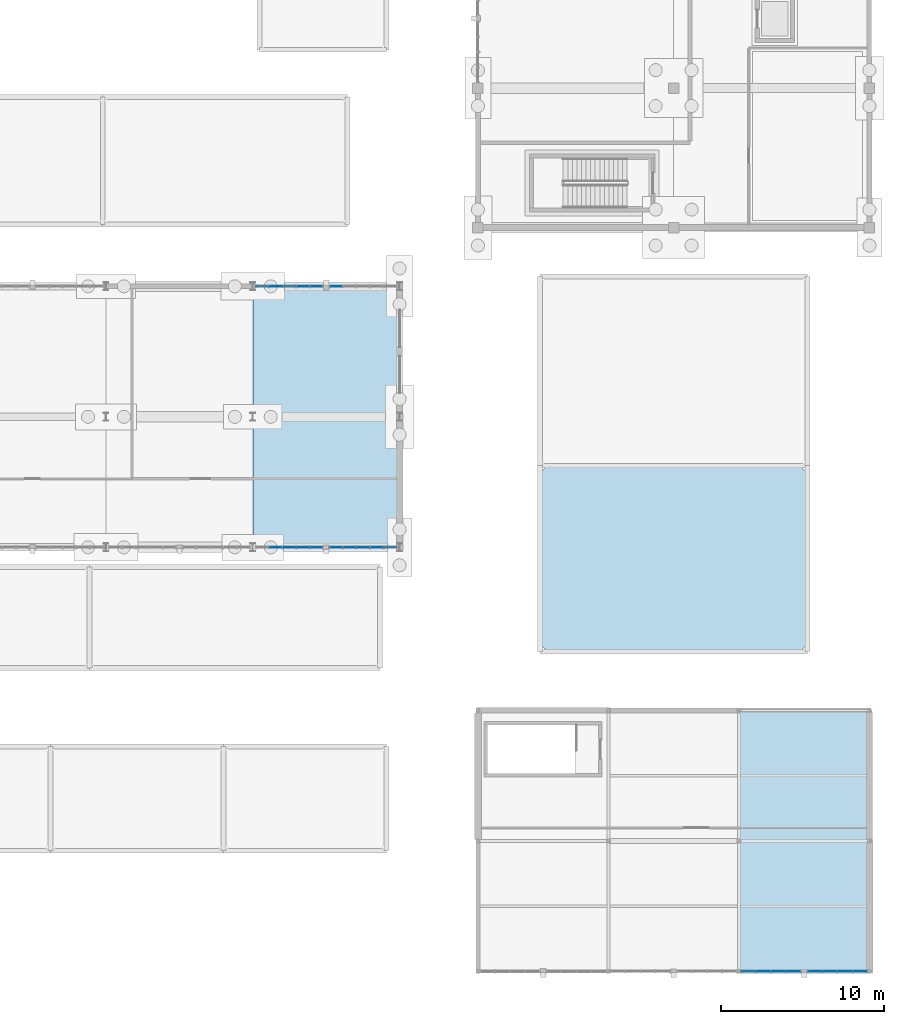
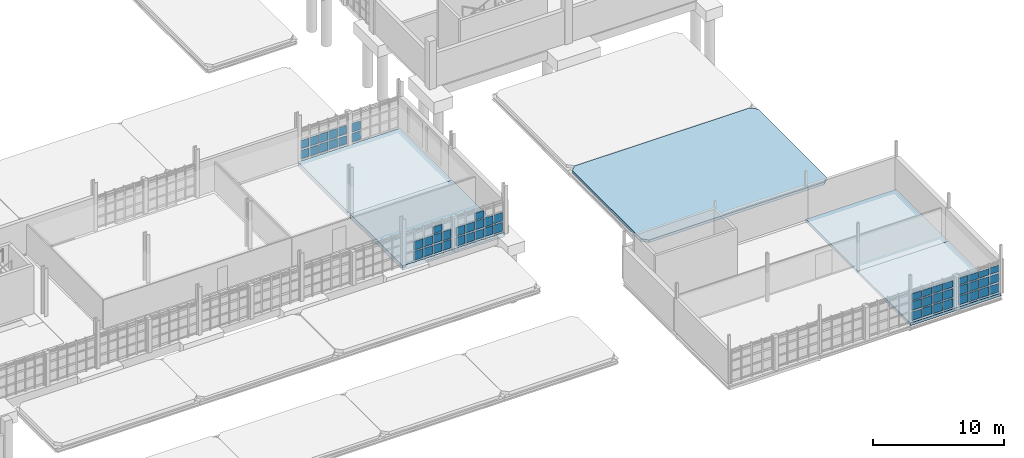
# One storey, part 89 of 125: 56 plates, 5 slabs, 6 elements without a shape of their own.
"""IFC4 building model written with IfcOpenShell, lengths in metres."""

from ifc_helpers import new_model, si_unit, direction, frame, origin, origin_2d, place, context, subcontext, project, spatial, polyline, rectangle, outline, extrude, material, layer, layer_set, type_object, element, aggregate, save


model = new_model("IFC4")

# Units and contexts
model_context = context("Model", 3, precision=1e-05, world=origin(), true_north=direction((0.0, 1.0)))
body_context = subcontext(model_context, "Body", "Model", "MODEL_VIEW")
ifc_project = project(units=[si_unit("LENGTHUNIT", "METRE"), si_unit("AREAUNIT", "SQUARE_METRE"), si_unit("VOLUMEUNIT", "CUBIC_METRE"), si_unit("PLANEANGLEUNIT", "RADIAN"), si_unit("MASSUNIT", "GRAM", prefix="KILO")], contexts=[model_context])

# Site, building, storey
site_placement = place(None, origin())
site = spatial("IfcSite", under=ifc_project, at=site_placement, CompositionType="ELEMENT")
building_placement = place(site_placement, origin())
building = spatial("IfcBuilding", under=site, at=building_placement, Name="Serraforn Aerial Cableway Station", CompositionType="ELEMENT")
storey_placement = place(building_placement, frame((0.0, 0.0, 4.5)))
storey = spatial("IfcBuildingStorey", under=building, at=storey_placement, Name="L01", CompositionType="ELEMENT", Elevation=4.5)

# Curtain wall, plate
ifc_material_1 = material(Name="Anodised bronze unitised curtain wall")
curtain_wall_type_1 = type_object("IfcCurtainWallType", Name="CW-SYS-7", PredefinedType="USERDEFINED", material=ifc_material_1)
curtain_wall_1_placement = place(storey_placement, origin())
curtain_wall_1 = element("IfcCurtainWall", 1, at=curtain_wall_1_placement, inside=storey, type_object=curtain_wall_type_1, Name="Unitised Curtain Wall CW-ES-L01-S3A", ObjectType="UNITISED CURTAIN WALL", PredefinedType="USERDEFINED")
ifc_material_2 = material(Name="Solar-control low-E double glazing", Category="glass")
ifc_layer_1 = layer(ifc_material_2, 0.02587890625)
ifc_layer_set_1 = layer_set([ifc_layer_1], Name="Solar-control low-E double glazing")
plate_type_1 = type_object("IfcPlateType", Name="CW-GLZ-1", PredefinedType="CURTAIN_PANEL", material=ifc_layer_set_1)
plate_1_placement = place(storey_placement, frame((163.33837890625, 0.0, 2.06982421875), z_axis=(0.0, 0.0, 1.0), x_axis=(1.0, 0.0, 0.0)))
plate_1 = element("IfcPlate", 2, at=plate_1_placement, type_object=plate_type_1, Name="Curtain Wall Panel CW-ES-L01-S3A-P4-3", PredefinedType="CURTAIN_PANEL", context=body_context, shape_type="SweptSolid", body=[
    extrude(rectangle(XDim=0.846923828125, YDim=0.02587890625, at=origin_2d()), origin(), (0.0, 0.0, 1.0), 0.59521484375),
])

# Curtain wall, plates
curtain_wall_type_2 = type_object("IfcCurtainWallType", Name="CW-SYS-8", PredefinedType="USERDEFINED", material=ifc_material_1)
curtain_wall_2_placement = place(storey_placement, origin())
curtain_wall_2 = element("IfcCurtainWall", 3, at=curtain_wall_2_placement, inside=storey, type_object=curtain_wall_type_2, Name="Unitised Curtain Wall CW-ES-L01-S3B", ObjectType="UNITISED CURTAIN WALL", PredefinedType="USERDEFINED")
plate_2_placement = place(storey_placement, frame((166.5048828125, 0.0, 2.06982421875), z_axis=(0.0, 0.0, 1.0), x_axis=(1.0, 0.0, 0.0)))
plate_2 = element("IfcPlate", 4, at=plate_2_placement, type_object=plate_type_1, Name="Curtain Wall Panel CW-ES-L01-S3B-P3-3", PredefinedType="CURTAIN_PANEL", context=body_context, shape_type="SweptSolid", body=[
    extrude(rectangle(XDim=0.876953125, YDim=0.02587890625, at=origin_2d()), origin(), (0.0, 0.0, 1.0), 0.59521484375),
])
plate_3_placement = place(storey_placement, frame((167.419189453125, 0.0, 1.1337890625), z_axis=(0.0, 0.0, 1.0), x_axis=(1.0, 0.0, 0.0)))
plate_3 = element("IfcPlate", 5, at=plate_3_placement, type_object=plate_type_1, Name="Curtain Wall Panel CW-ES-L01-S3B-P4-2", PredefinedType="CURTAIN_PANEL", context=body_context, shape_type="SweptSolid", body=[
    extrude(rectangle(XDim=0.839599609375, YDim=0.02587890625, at=origin_2d()), origin(), (0.0, 0.0, 1.0), 0.782470703125),
])

# Curtain wall, plate
curtain_wall_type_3 = type_object("IfcCurtainWallType", Name="CW-SYS-19", PredefinedType="USERDEFINED", material=ifc_material_1)
curtain_wall_3_placement = place(storey_placement, origin())
curtain_wall_3 = element("IfcCurtainWall", 6, at=curtain_wall_3_placement, inside=storey, type_object=curtain_wall_type_3, Name="Unitised Curtain Wall CW-EL-L01-S5A", ObjectType="UNITISED CURTAIN WALL", PredefinedType="USERDEFINED")
plate_4_placement = place(storey_placement, frame((131.598388671875, 26.0, 0.182861328125), z_axis=(0.0, 0.0, 1.0), x_axis=(1.0, 0.0, 0.0)))
plate_4 = element("IfcPlate", 7, at=plate_4_placement, type_object=plate_type_1, Name="Curtain Wall Panel CW-EL-L01-S5A-P2-1", PredefinedType="CURTAIN_PANEL", context=body_context, shape_type="SweptSolid", body=[
    extrude(rectangle(XDim=0.781005859375, YDim=0.02587890625, at=origin_2d()), origin(), (0.0, 0.0, 1.0), 0.8125),
])

curtain_wall_type_4 = type_object("IfcCurtainWallType", Name="CW-SYS-20", PredefinedType="USERDEFINED", material=ifc_material_1)
curtain_wall_4_placement = place(storey_placement, origin())
curtain_wall_4 = element("IfcCurtainWall", 8, at=curtain_wall_4_placement, inside=storey, type_object=curtain_wall_type_4, Name="Unitised Curtain Wall CW-EL-L01-S5B", ObjectType="UNITISED CURTAIN WALL", PredefinedType="USERDEFINED")
plate_5_placement = place(storey_placement, frame((135.309814453125, 26.0, 0.182861328125), z_axis=(0.0, 0.0, 1.0), x_axis=(1.0, 0.0, 0.0)))
plate_5 = element("IfcPlate", 9, at=plate_5_placement, type_object=plate_type_1, Name="Curtain Wall Panel CW-EL-L01-S5B-P1-1", PredefinedType="CURTAIN_PANEL", context=body_context, shape_type="SweptSolid", body=[
    extrude(rectangle(XDim=0.75341796875, YDim=0.02587890625, at=origin_2d()), origin(), (0.0, 0.0, 1.0), 0.8125),
])

# Plate
ifc_layer_2 = layer(ifc_material_2, 0.028076171875)
ifc_layer_set_2 = layer_set([ifc_layer_2], Name="Solar-control low-E double glazing")
plate_type_2 = type_object("IfcPlateType", Name="CW-GLZ-2", PredefinedType="CURTAIN_PANEL", material=ifc_layer_set_2)
plate_6_placement = place(storey_placement, frame((167.419189453125, 0.0, 2.077392578125), z_axis=(0.0, 0.0, 1.0), x_axis=(1.0, 0.0, 0.0)))
plate_6 = element("IfcPlate", 10, at=plate_6_placement, type_object=plate_type_2, Name="Curtain Wall Panel CW-ES-L01-S3B-P4-3", PredefinedType="CURTAIN_PANEL", context=body_context, shape_type="SweptSolid", body=[
    extrude(rectangle(XDim=0.839599609375, YDim=0.028076171875, at=origin_2d()), origin(), (0.0, 0.0, 1.0), 0.615234375),
])

plate_7_placement = place(storey_placement, frame((131.598388671875, 26.0, 1.12646484375), z_axis=(0.0, 0.0, 1.0), x_axis=(1.0, 0.0, 0.0)))
plate_7 = element("IfcPlate", 11, at=plate_7_placement, type_object=plate_type_2, Name="Curtain Wall Panel CW-EL-L01-S5A-P2-2", PredefinedType="CURTAIN_PANEL", context=body_context, shape_type="SweptSolid", body=[
    extrude(rectangle(XDim=0.781005859375, YDim=0.028076171875, at=origin_2d()), origin(), (0.0, 0.0, 1.0), 0.797607421875),
])

plate_8_placement = place(storey_placement, frame((132.4326171875, 26.0, 0.1904296875), z_axis=(0.0, 0.0, 1.0), x_axis=(1.0, 0.0, 0.0)))
plate_8 = element("IfcPlate", 12, at=plate_8_placement, type_object=plate_type_2, Name="Curtain Wall Panel CW-EL-L01-S5A-P3-1", PredefinedType="CURTAIN_PANEL", context=body_context, shape_type="SweptSolid", body=[
    extrude(rectangle(XDim=0.77587890625, YDim=0.028076171875, at=origin_2d()), origin(), (0.0, 0.0, 1.0), 0.797607421875),
])

plate_9_placement = place(storey_placement, frame((135.309814453125, 26.0, 1.12646484375), z_axis=(0.0, 0.0, 1.0), x_axis=(1.0, 0.0, 0.0)))
plate_9 = element("IfcPlate", 13, at=plate_9_placement, type_object=plate_type_2, Name="Curtain Wall Panel CW-EL-L01-S5B-P1-2", PredefinedType="CURTAIN_PANEL", context=body_context, shape_type="SweptSolid", body=[
    extrude(rectangle(XDim=0.75341796875, YDim=0.028076171875, at=origin_2d()), origin(), (0.0, 0.0, 1.0), 0.797607421875),
])

plate_10_placement = place(storey_placement, frame((136.13037109375, 26.0, 0.1904296875), z_axis=(0.0, 0.0, 1.0), x_axis=(1.0, 0.0, 0.0)))
plate_10 = element("IfcPlate", 14, at=plate_10_placement, type_object=plate_type_2, Name="Curtain Wall Panel CW-EL-L01-S5B-P2-1", PredefinedType="CURTAIN_PANEL", context=body_context, shape_type="SweptSolid", body=[
    extrude(rectangle(XDim=0.77587890625, YDim=0.028076171875, at=origin_2d()), origin(), (0.0, 0.0, 1.0), 0.797607421875),
])

ifc_layer_3 = layer(ifc_material_2, 0.030029296875)
ifc_layer_set_3 = layer_set([ifc_layer_3], Name="Solar-control low-E double glazing")
plate_type_3 = type_object("IfcPlateType", Name="CW-GLZ-3", PredefinedType="CURTAIN_PANEL", material=ifc_layer_set_3)
plate_11_placement = place(storey_placement, frame((132.4326171875, 26.0, 1.1337890625), z_axis=(0.0, 0.0, 1.0), x_axis=(1.0, 0.0, 0.0)))
plate_11 = element("IfcPlate", 15, at=plate_11_placement, type_object=plate_type_3, Name="Curtain Wall Panel CW-EL-L01-S5A-P3-2", PredefinedType="CURTAIN_PANEL", context=body_context, shape_type="SweptSolid", body=[
    extrude(rectangle(XDim=0.77587890625, YDim=0.030029296875, at=origin_2d()), origin(), (0.0, 0.0, 1.0), 0.782470703125),
])

plate_12_placement = place(storey_placement, frame((133.26708984375, 26.0, 0.19775390625), z_axis=(0.0, 0.0, 1.0), x_axis=(1.0, 0.0, 0.0)))
plate_12 = element("IfcPlate", 16, at=plate_12_placement, type_object=plate_type_3, Name="Curtain Wall Panel CW-EL-L01-S5A-P4-1", PredefinedType="CURTAIN_PANEL", context=body_context, shape_type="SweptSolid", body=[
    extrude(rectangle(XDim=0.77099609375, YDim=0.030029296875, at=origin_2d()), origin(), (0.0, 0.0, 1.0), 0.782470703125),
])

plate_13_placement = place(storey_placement, frame((136.13037109375, 26.0, 1.1337890625), z_axis=(0.0, 0.0, 1.0), x_axis=(1.0, 0.0, 0.0)))
plate_13 = element("IfcPlate", 17, at=plate_13_placement, type_object=plate_type_3, Name="Curtain Wall Panel CW-EL-L01-S5B-P2-2", PredefinedType="CURTAIN_PANEL", context=body_context, shape_type="SweptSolid", body=[
    extrude(rectangle(XDim=0.77587890625, YDim=0.030029296875, at=origin_2d()), origin(), (0.0, 0.0, 1.0), 0.782470703125),
])

plate_14_placement = place(storey_placement, frame((136.964599609375, 26.0, 0.19775390625), z_axis=(0.0, 0.0, 1.0), x_axis=(1.0, 0.0, 0.0)))
plate_14 = element("IfcPlate", 18, at=plate_14_placement, type_object=plate_type_3, Name="Curtain Wall Panel CW-EL-L01-S5B-P3-1", PredefinedType="CURTAIN_PANEL", context=body_context, shape_type="SweptSolid", body=[
    extrude(rectangle(XDim=0.77099609375, YDim=0.030029296875, at=origin_2d()), origin(), (0.0, 0.0, 1.0), 0.782470703125),
])

# Curtain wall, plate
curtain_wall_type_5 = type_object("IfcCurtainWallType", Name="CW-SYS-22", PredefinedType="USERDEFINED", material=ifc_material_1)
curtain_wall_5_placement = place(storey_placement, origin())
curtain_wall_5 = element("IfcCurtainWall", 19, at=curtain_wall_5_placement, inside=storey, type_object=curtain_wall_type_5, Name="Unitised Curtain Wall CW-EL-L01-N5B", ObjectType="UNITISED CURTAIN WALL", PredefinedType="USERDEFINED")
plate_15_placement = place(storey_placement, frame((134.087890625, 42.0, 0.19775390625), z_axis=(0.0, 0.0, 1.0), x_axis=(1.0, 0.0, 0.0)))
plate_15 = element("IfcPlate", 20, at=plate_15_placement, type_object=plate_type_3, Name="Curtain Wall Panel CW-EL-L01-N5B-P1-1", PredefinedType="CURTAIN_PANEL", context=body_context, shape_type="SweptSolid", body=[
    extrude(rectangle(XDim=0.73828125, YDim=0.030029296875, at=origin_2d()), origin(), (0.0, 0.0, 1.0), 0.782470703125),
])

# Plate
ifc_layer_4 = layer(ifc_material_2, 0.031982421875)
ifc_layer_set_4 = layer_set([ifc_layer_4], Name="Solar-control low-E double glazing")
plate_type_4 = type_object("IfcPlateType", Name="CW-GLZ-4", PredefinedType="CURTAIN_PANEL", material=ifc_layer_set_4)
plate_16_placement = place(storey_placement, frame((160.578125, 0.0, 0.19775390625), z_axis=(0.0, 0.0, 1.0), x_axis=(1.0, 0.0, 0.0)))
plate_16 = element("IfcPlate", 21, at=plate_16_placement, type_object=plate_type_4, Name="Curtain Wall Panel CW-ES-L01-S3A-P1-1", PredefinedType="CURTAIN_PANEL", context=body_context, shape_type="SweptSolid", body=[
    extrude(rectangle(XDim=0.83447265625, YDim=0.031982421875, at=origin_2d()), origin(), (0.0, 0.0, 1.0), 0.782470703125),
])

plate_17_placement = place(storey_placement, frame((133.26708984375, 26.0, 1.14111328125), z_axis=(0.0, 0.0, 1.0), x_axis=(1.0, 0.0, 0.0)))
plate_17 = element("IfcPlate", 22, at=plate_17_placement, type_object=plate_type_4, Name="Curtain Wall Panel CW-EL-L01-S5A-P4-2", PredefinedType="CURTAIN_PANEL", context=body_context, shape_type="SweptSolid", body=[
    extrude(rectangle(XDim=0.77099609375, YDim=0.031982421875, at=origin_2d()), origin(), (0.0, 0.0, 1.0), 0.802490234375),
])

plate_18_placement = place(storey_placement, frame((134.082763671875, 26.0, 0.20556640625), z_axis=(0.0, 0.0, 1.0), x_axis=(1.0, 0.0, 0.0)))
plate_18 = element("IfcPlate", 23, at=plate_18_placement, type_object=plate_type_4, Name="Curtain Wall Panel CW-EL-L01-S5A-P5-1", PredefinedType="CURTAIN_PANEL", context=body_context, shape_type="SweptSolid", body=[
    extrude(rectangle(XDim=0.728515625, YDim=0.031982421875, at=origin_2d()), origin(), (0.0, 0.0, 1.0), 0.802490234375),
])

plate_19_placement = place(storey_placement, frame((136.964599609375, 26.0, 1.14111328125), z_axis=(0.0, 0.0, 1.0), x_axis=(1.0, 0.0, 0.0)))
plate_19 = element("IfcPlate", 24, at=plate_19_placement, type_object=plate_type_4, Name="Curtain Wall Panel CW-EL-L01-S5B-P3-2", PredefinedType="CURTAIN_PANEL", context=body_context, shape_type="SweptSolid", body=[
    extrude(rectangle(XDim=0.77099609375, YDim=0.031982421875, at=origin_2d()), origin(), (0.0, 0.0, 1.0), 0.802490234375),
])

plate_20_placement = place(storey_placement, frame((137.799072265625, 26.0, 0.20556640625), z_axis=(0.0, 0.0, 1.0), x_axis=(1.0, 0.0, 0.0)))
plate_20 = element("IfcPlate", 25, at=plate_20_placement, type_object=plate_type_4, Name="Curtain Wall Panel CW-EL-L01-S5B-P4-1", PredefinedType="CURTAIN_PANEL", context=body_context, shape_type="SweptSolid", body=[
    extrude(rectangle(XDim=0.765869140625, YDim=0.031982421875, at=origin_2d()), origin(), (0.0, 0.0, 1.0), 0.802490234375),
])

plate_21_placement = place(storey_placement, frame((134.087890625, 42.0, 1.14111328125), z_axis=(0.0, 0.0, 1.0), x_axis=(1.0, 0.0, 0.0)))
plate_21 = element("IfcPlate", 26, at=plate_21_placement, type_object=plate_type_4, Name="Curtain Wall Panel CW-EL-L01-N5B-P1-2", PredefinedType="CURTAIN_PANEL", context=body_context, shape_type="SweptSolid", body=[
    extrude(rectangle(XDim=0.73828125, YDim=0.031982421875, at=origin_2d()), origin(), (0.0, 0.0, 1.0), 0.802490234375),
])

plate_22_placement = place(storey_placement, frame((133.269775390625, 42.0, 0.20556640625), z_axis=(0.0, 0.0, 1.0), x_axis=(1.0, 0.0, 0.0)))
plate_22 = element("IfcPlate", 27, at=plate_22_placement, type_object=plate_type_4, Name="Curtain Wall Panel CW-EL-L01-N5B-P2-1", PredefinedType="CURTAIN_PANEL", context=body_context, shape_type="SweptSolid", body=[
    extrude(rectangle(XDim=0.765869140625, YDim=0.031982421875, at=origin_2d()), origin(), (0.0, 0.0, 1.0), 0.802490234375),
])

ifc_layer_5 = layer(ifc_material_2, 0.033935546875)
ifc_layer_set_5 = layer_set([ifc_layer_5], Name="Solar-control low-E double glazing")
plate_type_5 = type_object("IfcPlateType", Name="CW-GLZ-5", PredefinedType="CURTAIN_PANEL", material=ifc_layer_set_5)
plate_23_placement = place(storey_placement, frame((160.578125, 0.0, 1.14111328125), z_axis=(0.0, 0.0, 1.0), x_axis=(1.0, 0.0, 0.0)))
plate_23 = element("IfcPlate", 28, at=plate_23_placement, type_object=plate_type_5, Name="Curtain Wall Panel CW-ES-L01-S3A-P1-2", PredefinedType="CURTAIN_PANEL", context=body_context, shape_type="SweptSolid", body=[
    extrude(rectangle(XDim=0.83447265625, YDim=0.033935546875, at=origin_2d()), origin(), (0.0, 0.0, 1.0), 0.802490234375),
])

plate_24_placement = place(storey_placement, frame((161.492431640625, 0.0, 0.20556640625), z_axis=(0.0, 0.0, 1.0), x_axis=(1.0, 0.0, 0.0)))
plate_24 = element("IfcPlate", 29, at=plate_24_placement, type_object=plate_type_5, Name="Curtain Wall Panel CW-ES-L01-S3A-P2-1", PredefinedType="CURTAIN_PANEL", context=body_context, shape_type="SweptSolid", body=[
    extrude(rectangle(XDim=0.862060546875, YDim=0.033935546875, at=origin_2d()), origin(), (0.0, 0.0, 1.0), 0.802490234375),
])

plate_25_placement = place(storey_placement, frame((164.66162109375, 0.0, 0.20556640625), z_axis=(0.0, 0.0, 1.0), x_axis=(1.0, 0.0, 0.0)))
plate_25 = element("IfcPlate", 30, at=plate_25_placement, type_object=plate_type_5, Name="Curtain Wall Panel CW-ES-L01-S3B-P1-1", PredefinedType="CURTAIN_PANEL", context=body_context, shape_type="SweptSolid", body=[
    extrude(rectangle(XDim=0.826904296875, YDim=0.033935546875, at=origin_2d()), origin(), (0.0, 0.0, 1.0), 0.802490234375),
])

plate_26_placement = place(storey_placement, frame((133.26708984375, 26.0, 2.0498046875), z_axis=(0.0, 0.0, 1.0), x_axis=(1.0, 0.0, 0.0)))
plate_26 = element("IfcPlate", 31, at=plate_26_placement, type_object=plate_type_5, Name="Curtain Wall Panel CW-EL-L01-S5A-P4-3", PredefinedType="CURTAIN_PANEL", context=body_context, shape_type="SweptSolid", body=[
    extrude(rectangle(XDim=0.77099609375, YDim=0.033935546875, at=origin_2d()), origin(), (0.0, 0.0, 1.0), 0.6376953125),
])

plate_27_placement = place(storey_placement, frame((134.082763671875, 26.0, 1.11376953125), z_axis=(0.0, 0.0, 1.0), x_axis=(1.0, 0.0, 0.0)))
plate_27 = element("IfcPlate", 32, at=plate_27_placement, type_object=plate_type_5, Name="Curtain Wall Panel CW-EL-L01-S5A-P5-2", PredefinedType="CURTAIN_PANEL", context=body_context, shape_type="SweptSolid", body=[
    extrude(rectangle(XDim=0.728515625, YDim=0.033935546875, at=origin_2d()), origin(), (0.0, 0.0, 1.0), 0.824951171875),
])

aggregate(curtain_wall_3, [plate_4, plate_7, plate_8, plate_11, plate_12, plate_17, plate_26, plate_18, plate_27])

plate_28_placement = place(storey_placement, frame((136.964599609375, 26.0, 2.0498046875), z_axis=(0.0, 0.0, 1.0), x_axis=(1.0, 0.0, 0.0)))
plate_28 = element("IfcPlate", 33, at=plate_28_placement, type_object=plate_type_5, Name="Curtain Wall Panel CW-EL-L01-S5B-P3-3", PredefinedType="CURTAIN_PANEL", context=body_context, shape_type="SweptSolid", body=[
    extrude(rectangle(XDim=0.77099609375, YDim=0.033935546875, at=origin_2d()), origin(), (0.0, 0.0, 1.0), 0.6376953125),
])

plate_29_placement = place(storey_placement, frame((137.799072265625, 26.0, 1.11376953125), z_axis=(0.0, 0.0, 1.0), x_axis=(1.0, 0.0, 0.0)))
plate_29 = element("IfcPlate", 34, at=plate_29_placement, type_object=plate_type_5, Name="Curtain Wall Panel CW-EL-L01-S5B-P4-2", PredefinedType="CURTAIN_PANEL", context=body_context, shape_type="SweptSolid", body=[
    extrude(rectangle(XDim=0.765869140625, YDim=0.033935546875, at=origin_2d()), origin(), (0.0, 0.0, 1.0), 0.824951171875),
])

plate_30_placement = place(storey_placement, frame((138.6259765625, 26.0, 0.177734375), z_axis=(0.0, 0.0, 1.0), x_axis=(1.0, 0.0, 0.0)))
plate_30 = element("IfcPlate", 35, at=plate_30_placement, type_object=plate_type_5, Name="Curtain Wall Panel CW-EL-L01-S5B-P5-1", PredefinedType="CURTAIN_PANEL", context=body_context, shape_type="SweptSolid", body=[
    extrude(rectangle(XDim=0.745849609375, YDim=0.033935546875, at=origin_2d()), origin(), (0.0, 0.0, 1.0), 0.824951171875),
])

plate_31_placement = place(storey_placement, frame((133.269775390625, 42.0, 1.11376953125), z_axis=(0.0, 0.0, 1.0), x_axis=(1.0, 0.0, 0.0)))
plate_31 = element("IfcPlate", 36, at=plate_31_placement, type_object=plate_type_5, Name="Curtain Wall Panel CW-EL-L01-N5B-P2-2", PredefinedType="CURTAIN_PANEL", context=body_context, shape_type="SweptSolid", body=[
    extrude(rectangle(XDim=0.765869140625, YDim=0.033935546875, at=origin_2d()), origin(), (0.0, 0.0, 1.0), 0.824951171875),
])

plate_32_placement = place(storey_placement, frame((132.428955078125, 42.0, 0.177734375), z_axis=(0.0, 0.0, 1.0), x_axis=(1.0, 0.0, 0.0)))
plate_32 = element("IfcPlate", 37, at=plate_32_placement, type_object=plate_type_5, Name="Curtain Wall Panel CW-EL-L01-N5B-P3-1", PredefinedType="CURTAIN_PANEL", context=body_context, shape_type="SweptSolid", body=[
    extrude(rectangle(XDim=0.7734375, YDim=0.033935546875, at=origin_2d()), origin(), (0.0, 0.0, 1.0), 0.824951171875),
])

ifc_layer_6 = layer(ifc_material_2, 0.035888671875)
ifc_layer_set_6 = layer_set([ifc_layer_6], Name="Solar-control low-E double glazing")
plate_type_6 = type_object("IfcPlateType", Name="CW-GLZ-6", PredefinedType="CURTAIN_PANEL", material=ifc_layer_set_6)
plate_33_placement = place(storey_placement, frame((160.578125, 0.0, 2.0498046875), z_axis=(0.0, 0.0, 1.0), x_axis=(1.0, 0.0, 0.0)))
plate_33 = element("IfcPlate", 38, at=plate_33_placement, type_object=plate_type_6, Name="Curtain Wall Panel CW-ES-L01-S3A-P1-3", PredefinedType="CURTAIN_PANEL", context=body_context, shape_type="SweptSolid", body=[
    extrude(rectangle(XDim=0.83447265625, YDim=0.035888671875, at=origin_2d()), origin(), (0.0, 0.0, 1.0), 0.6376953125),
])

plate_34_placement = place(storey_placement, frame((161.492431640625, 0.0, 1.11376953125), z_axis=(0.0, 0.0, 1.0), x_axis=(1.0, 0.0, 0.0)))
plate_34 = element("IfcPlate", 39, at=plate_34_placement, type_object=plate_type_6, Name="Curtain Wall Panel CW-ES-L01-S3A-P2-2", PredefinedType="CURTAIN_PANEL", context=body_context, shape_type="SweptSolid", body=[
    extrude(rectangle(XDim=0.862060546875, YDim=0.035888671875, at=origin_2d()), origin(), (0.0, 0.0, 1.0), 0.824951171875),
])

plate_35_placement = place(storey_placement, frame((162.42919921875, 0.0, 0.177734375), z_axis=(0.0, 0.0, 1.0), x_axis=(1.0, 0.0, 0.0)))
plate_35 = element("IfcPlate", 40, at=plate_35_placement, type_object=plate_type_6, Name="Curtain Wall Panel CW-ES-L01-S3A-P3-1", PredefinedType="CURTAIN_PANEL", context=body_context, shape_type="SweptSolid", body=[
    extrude(rectangle(XDim=0.869384765625, YDim=0.035888671875, at=origin_2d()), origin(), (0.0, 0.0, 1.0), 0.824951171875),
])

plate_36_placement = place(storey_placement, frame((164.66162109375, 0.0, 1.11376953125), z_axis=(0.0, 0.0, 1.0), x_axis=(1.0, 0.0, 0.0)))
plate_36 = element("IfcPlate", 41, at=plate_36_placement, type_object=plate_type_6, Name="Curtain Wall Panel CW-ES-L01-S3B-P1-2", PredefinedType="CURTAIN_PANEL", context=body_context, shape_type="SweptSolid", body=[
    extrude(rectangle(XDim=0.826904296875, YDim=0.035888671875, at=origin_2d()), origin(), (0.0, 0.0, 1.0), 0.824951171875),
])

plate_37_placement = place(storey_placement, frame((165.580810546875, 0.0, 0.177734375), z_axis=(0.0, 0.0, 1.0), x_axis=(1.0, 0.0, 0.0)))
plate_37 = element("IfcPlate", 42, at=plate_37_placement, type_object=plate_type_6, Name="Curtain Wall Panel CW-ES-L01-S3B-P2-1", PredefinedType="CURTAIN_PANEL", context=body_context, shape_type="SweptSolid", body=[
    extrude(rectangle(XDim=0.869384765625, YDim=0.035888671875, at=origin_2d()), origin(), (0.0, 0.0, 1.0), 0.824951171875),
])

plate_38_placement = place(storey_placement, frame((138.6259765625, 26.0, 1.118896484375), z_axis=(0.0, 0.0, 1.0), x_axis=(1.0, 0.0, 0.0)))
plate_38 = element("IfcPlate", 43, at=plate_38_placement, type_object=plate_type_6, Name="Curtain Wall Panel CW-EL-L01-S5B-P5-2", PredefinedType="CURTAIN_PANEL", context=body_context, shape_type="SweptSolid", body=[
    extrude(rectangle(XDim=0.745849609375, YDim=0.035888671875, at=origin_2d()), origin(), (0.0, 0.0, 1.0), 0.8125),
])

aggregate(curtain_wall_4, [plate_5, plate_9, plate_10, plate_13, plate_14, plate_19, plate_28, plate_20, plate_29, plate_30, plate_38])

# Curtain wall, plate
curtain_wall_type_6 = type_object("IfcCurtainWallType", Name="CW-SYS-21", PredefinedType="USERDEFINED", material=ifc_material_1)
curtain_wall_6_placement = place(storey_placement, origin())
curtain_wall_6 = element("IfcCurtainWall", 44, at=curtain_wall_6_placement, inside=storey, type_object=curtain_wall_type_6, Name="Unitised Curtain Wall CW-EL-L01-N5A", ObjectType="UNITISED CURTAIN WALL", PredefinedType="USERDEFINED")
plate_39_placement = place(storey_placement, frame((135.3134765625, 42.0, 0.182861328125), z_axis=(0.0, 0.0, 1.0), x_axis=(1.0, 0.0, 0.0)))
plate_39 = element("IfcPlate", 45, at=plate_39_placement, type_object=plate_type_6, Name="Curtain Wall Panel CW-EL-L01-N5A-P5-1", PredefinedType="CURTAIN_PANEL", context=body_context, shape_type="SweptSolid", body=[
    extrude(rectangle(XDim=0.7509765625, YDim=0.035888671875, at=origin_2d()), origin(), (0.0, 0.0, 1.0), 0.8125),
])

# Plate
plate_40_placement = place(storey_placement, frame((132.428955078125, 42.0, 1.118896484375), z_axis=(0.0, 0.0, 1.0), x_axis=(1.0, 0.0, 0.0)))
plate_40 = element("IfcPlate", 46, at=plate_40_placement, type_object=plate_type_6, Name="Curtain Wall Panel CW-EL-L01-N5B-P3-2", PredefinedType="CURTAIN_PANEL", context=body_context, shape_type="SweptSolid", body=[
    extrude(rectangle(XDim=0.7734375, YDim=0.035888671875, at=origin_2d()), origin(), (0.0, 0.0, 1.0), 0.8125),
])

plate_41_placement = place(storey_placement, frame((131.600830078125, 42.0, 0.182861328125), z_axis=(0.0, 0.0, 1.0), x_axis=(1.0, 0.0, 0.0)))
plate_41 = element("IfcPlate", 47, at=plate_41_placement, type_object=plate_type_6, Name="Curtain Wall Panel CW-EL-L01-N5B-P4-1", PredefinedType="CURTAIN_PANEL", context=body_context, shape_type="SweptSolid", body=[
    extrude(rectangle(XDim=0.781005859375, YDim=0.035888671875, at=origin_2d()), origin(), (0.0, 0.0, 1.0), 0.8125),
])

ifc_layer_7 = layer(ifc_material_2, 0.029052734375)
ifc_layer_set_7 = layer_set([ifc_layer_7], Name="Solar-control low-E double glazing")
plate_type_7 = type_object("IfcPlateType", Name="CW-GLZ-7", PredefinedType="CURTAIN_PANEL", material=ifc_layer_set_7)
plate_42_placement = place(storey_placement, frame((161.492431640625, 0.0, 2.0546875), z_axis=(0.0, 0.0, 1.0), x_axis=(1.0, 0.0, 0.0)))
plate_42 = element("IfcPlate", 48, at=plate_42_placement, type_object=plate_type_7, Name="Curtain Wall Panel CW-ES-L01-S3A-P2-3", PredefinedType="CURTAIN_PANEL", context=body_context, shape_type="SweptSolid", body=[
    extrude(rectangle(XDim=0.862060546875, YDim=0.029052734375, at=origin_2d()), origin(), (0.0, 0.0, 1.0), 0.625244140625),
])

plate_43_placement = place(storey_placement, frame((162.42919921875, 0.0, 1.118896484375), z_axis=(0.0, 0.0, 1.0), x_axis=(1.0, 0.0, 0.0)))
plate_43 = element("IfcPlate", 49, at=plate_43_placement, type_object=plate_type_7, Name="Curtain Wall Panel CW-ES-L01-S3A-P3-2", PredefinedType="CURTAIN_PANEL", context=body_context, shape_type="SweptSolid", body=[
    extrude(rectangle(XDim=0.869384765625, YDim=0.029052734375, at=origin_2d()), origin(), (0.0, 0.0, 1.0), 0.8125),
])

plate_44_placement = place(storey_placement, frame((163.33837890625, 0.0, 0.182861328125), z_axis=(0.0, 0.0, 1.0), x_axis=(1.0, 0.0, 0.0)))
plate_44 = element("IfcPlate", 50, at=plate_44_placement, type_object=plate_type_7, Name="Curtain Wall Panel CW-ES-L01-S3A-P4-1", PredefinedType="CURTAIN_PANEL", context=body_context, shape_type="SweptSolid", body=[
    extrude(rectangle(XDim=0.846923828125, YDim=0.029052734375, at=origin_2d()), origin(), (0.0, 0.0, 1.0), 0.8125),
])

plate_45_placement = place(storey_placement, frame((164.66162109375, 0.0, 2.0546875), z_axis=(0.0, 0.0, 1.0), x_axis=(1.0, 0.0, 0.0)))
plate_45 = element("IfcPlate", 51, at=plate_45_placement, type_object=plate_type_7, Name="Curtain Wall Panel CW-ES-L01-S3B-P1-3", PredefinedType="CURTAIN_PANEL", context=body_context, shape_type="SweptSolid", body=[
    extrude(rectangle(XDim=0.826904296875, YDim=0.029052734375, at=origin_2d()), origin(), (0.0, 0.0, 1.0), 0.625244140625),
])

plate_46_placement = place(storey_placement, frame((165.580810546875, 0.0, 1.118896484375), z_axis=(0.0, 0.0, 1.0), x_axis=(1.0, 0.0, 0.0)))
plate_46 = element("IfcPlate", 52, at=plate_46_placement, type_object=plate_type_7, Name="Curtain Wall Panel CW-ES-L01-S3B-P2-2", PredefinedType="CURTAIN_PANEL", context=body_context, shape_type="SweptSolid", body=[
    extrude(rectangle(XDim=0.869384765625, YDim=0.029052734375, at=origin_2d()), origin(), (0.0, 0.0, 1.0), 0.8125),
])

plate_47_placement = place(storey_placement, frame((166.5048828125, 0.0, 0.182861328125), z_axis=(0.0, 0.0, 1.0), x_axis=(1.0, 0.0, 0.0)))
plate_47 = element("IfcPlate", 53, at=plate_47_placement, type_object=plate_type_7, Name="Curtain Wall Panel CW-ES-L01-S3B-P3-1", PredefinedType="CURTAIN_PANEL", context=body_context, shape_type="SweptSolid", body=[
    extrude(rectangle(XDim=0.876953125, YDim=0.029052734375, at=origin_2d()), origin(), (0.0, 0.0, 1.0), 0.8125),
])

plate_48_placement = place(storey_placement, frame((135.3134765625, 42.0, 1.12646484375), z_axis=(0.0, 0.0, 1.0), x_axis=(1.0, 0.0, 0.0)))
plate_48 = element("IfcPlate", 54, at=plate_48_placement, type_object=plate_type_7, Name="Curtain Wall Panel CW-EL-L01-N5A-P5-2", PredefinedType="CURTAIN_PANEL", context=body_context, shape_type="SweptSolid", body=[
    extrude(rectangle(XDim=0.7509765625, YDim=0.029052734375, at=origin_2d()), origin(), (0.0, 0.0, 1.0), 0.797607421875),
])

aggregate(curtain_wall_6, [plate_39, plate_48])

plate_49_placement = place(storey_placement, frame((131.600830078125, 42.0, 1.12646484375), z_axis=(0.0, 0.0, 1.0), x_axis=(1.0, 0.0, 0.0)))
plate_49 = element("IfcPlate", 55, at=plate_49_placement, type_object=plate_type_7, Name="Curtain Wall Panel CW-EL-L01-N5B-P4-2", PredefinedType="CURTAIN_PANEL", context=body_context, shape_type="SweptSolid", body=[
    extrude(rectangle(XDim=0.781005859375, YDim=0.029052734375, at=origin_2d()), origin(), (0.0, 0.0, 1.0), 0.797607421875),
])

plate_50_placement = place(storey_placement, frame((130.78271484375, 42.0, 0.1904296875), z_axis=(0.0, 0.0, 1.0), x_axis=(1.0, 0.0, 0.0)))
plate_50 = element("IfcPlate", 56, at=plate_50_placement, type_object=plate_type_7, Name="Curtain Wall Panel CW-EL-L01-N5B-P5-1", PredefinedType="CURTAIN_PANEL", context=body_context, shape_type="SweptSolid", body=[
    extrude(rectangle(XDim=0.743408203125, YDim=0.029052734375, at=origin_2d()), origin(), (0.0, 0.0, 1.0), 0.797607421875),
])

ifc_layer_8 = layer(ifc_material_2, 0.031005859375)
ifc_layer_set_8 = layer_set([ifc_layer_8], Name="Solar-control low-E double glazing")
plate_type_8 = type_object("IfcPlateType", Name="CW-GLZ-8", PredefinedType="CURTAIN_PANEL", material=ifc_layer_set_8)
plate_51_placement = place(storey_placement, frame((162.42919921875, 0.0, 2.062255859375), z_axis=(0.0, 0.0, 1.0), x_axis=(1.0, 0.0, 0.0)))
plate_51 = element("IfcPlate", 57, at=plate_51_placement, type_object=plate_type_8, Name="Curtain Wall Panel CW-ES-L01-S3A-P3-3", PredefinedType="CURTAIN_PANEL", context=body_context, shape_type="SweptSolid", body=[
    extrude(rectangle(XDim=0.869384765625, YDim=0.031005859375, at=origin_2d()), origin(), (0.0, 0.0, 1.0), 0.6103515625),
])

plate_52_placement = place(storey_placement, frame((163.33837890625, 0.0, 1.12646484375), z_axis=(0.0, 0.0, 1.0), x_axis=(1.0, 0.0, 0.0)))
plate_52 = element("IfcPlate", 58, at=plate_52_placement, type_object=plate_type_8, Name="Curtain Wall Panel CW-ES-L01-S3A-P4-2", PredefinedType="CURTAIN_PANEL", context=body_context, shape_type="SweptSolid", body=[
    extrude(rectangle(XDim=0.846923828125, YDim=0.031005859375, at=origin_2d()), origin(), (0.0, 0.0, 1.0), 0.797607421875),
])

aggregate(curtain_wall_1, [plate_16, plate_23, plate_33, plate_24, plate_34, plate_42, plate_35, plate_43, plate_51, plate_44, plate_52, plate_1])

plate_53_placement = place(storey_placement, frame((165.580810546875, 0.0, 2.062255859375), z_axis=(0.0, 0.0, 1.0), x_axis=(1.0, 0.0, 0.0)))
plate_53 = element("IfcPlate", 59, at=plate_53_placement, type_object=plate_type_8, Name="Curtain Wall Panel CW-ES-L01-S3B-P2-3", PredefinedType="CURTAIN_PANEL", context=body_context, shape_type="SweptSolid", body=[
    extrude(rectangle(XDim=0.869384765625, YDim=0.031005859375, at=origin_2d()), origin(), (0.0, 0.0, 1.0), 0.6103515625),
])

plate_54_placement = place(storey_placement, frame((166.5048828125, 0.0, 1.12646484375), z_axis=(0.0, 0.0, 1.0), x_axis=(1.0, 0.0, 0.0)))
plate_54 = element("IfcPlate", 60, at=plate_54_placement, type_object=plate_type_8, Name="Curtain Wall Panel CW-ES-L01-S3B-P3-2", PredefinedType="CURTAIN_PANEL", context=body_context, shape_type="SweptSolid", body=[
    extrude(rectangle(XDim=0.876953125, YDim=0.031005859375, at=origin_2d()), origin(), (0.0, 0.0, 1.0), 0.797607421875),
])

plate_55_placement = place(storey_placement, frame((167.419189453125, 0.0, 0.1904296875), z_axis=(0.0, 0.0, 1.0), x_axis=(1.0, 0.0, 0.0)))
plate_55 = element("IfcPlate", 61, at=plate_55_placement, type_object=plate_type_8, Name="Curtain Wall Panel CW-ES-L01-S3B-P4-1", PredefinedType="CURTAIN_PANEL", context=body_context, shape_type="SweptSolid", body=[
    extrude(rectangle(XDim=0.839599609375, YDim=0.031005859375, at=origin_2d()), origin(), (0.0, 0.0, 1.0), 0.797607421875),
])

aggregate(curtain_wall_2, [plate_25, plate_36, plate_45, plate_37, plate_46, plate_53, plate_47, plate_54, plate_2, plate_55, plate_3, plate_6])

plate_56_placement = place(storey_placement, frame((130.78271484375, 42.0, 1.1337890625), z_axis=(0.0, 0.0, 1.0), x_axis=(1.0, 0.0, 0.0)))
plate_56 = element("IfcPlate", 62, at=plate_56_placement, type_object=plate_type_8, Name="Curtain Wall Panel CW-EL-L01-N5B-P5-2", PredefinedType="CURTAIN_PANEL", context=body_context, shape_type="SweptSolid", body=[
    extrude(rectangle(XDim=0.743408203125, YDim=0.031005859375, at=origin_2d()), origin(), (0.0, 0.0, 1.0), 0.782470703125),
])

aggregate(curtain_wall_5, [plate_15, plate_21, plate_22, plate_31, plate_32, plate_40, plate_41, plate_49, plate_50, plate_56])

# Slabs
ifc_material_3 = material(Name="Concrete C35/45", Category="concrete")
ifc_layer_9 = layer(ifc_material_3, 0.419921875)
ifc_layer_set_9 = layer_set([ifc_layer_9], Name="Concrete C35/45")
slab_type_1 = type_object("IfcSlabType", Name="SLB-BASE-420", PredefinedType="BASESLAB", material=ifc_layer_set_9)
slab_1_placement = place(storey_placement, frame((0.0, 0.0, -0.419921875)))
element("IfcSlab", 63, at=slab_1_placement, inside=storey, type_object=slab_type_1, Name="Floor Slab EL-L01-5-1", PredefinedType="BASESLAB", context=body_context, shape_type="SweptSolid", body=[
    extrude(outline(polyline([(130.199951171875, 26.0), (139.199951171875, 26.0), (139.199951171875, 34.0), (130.199951171875, 34.0), (130.199951171875, 26.0)])), origin(), (0.0, 0.0, 1.0), 0.419921875),
])
slab_2_placement = place(storey_placement, frame((0.0, 0.0, -0.419921875)))
element("IfcSlab", 64, at=slab_2_placement, inside=storey, type_object=slab_type_1, Name="Floor Slab EL-L01-5-2", PredefinedType="BASESLAB", context=body_context, shape_type="SweptSolid", body=[
    extrude(outline(polyline([(130.199951171875, 34.0), (139.199951171875, 34.0), (139.199951171875, 42.0), (130.199951171875, 42.0), (130.199951171875, 34.0)])), origin(), (0.0, 0.0, 1.0), 0.419921875),
])
ifc_material_4 = material(Name="Concrete C30/37", Category="concrete")
ifc_layer_10 = layer(ifc_material_4, 0.2548828125)
ifc_layer_set_10 = layer_set([ifc_layer_10], Name="Concrete C30/37")
slab_type_2 = type_object("IfcSlabType", Name="SLB-FLR-255", PredefinedType="FLOOR", material=ifc_layer_set_10)
slab_3_placement = place(storey_placement, frame((0.0, 0.0, -0.2548828125)))
element("IfcSlab", 65, at=slab_3_placement, inside=storey, type_object=slab_type_2, Name="Floor Slab ES-L01-3-1", PredefinedType="FLOOR", context=body_context, shape_type="SweptSolid", body=[
    extrude(outline(polyline([(160.0, 0.0), (168.0, 0.0), (168.0, 8.0), (160.0, 8.0), (160.0, 0.0)])), origin(), (0.0, 0.0, 1.0), 0.2548828125),
])
slab_4_placement = place(storey_placement, frame((0.0, 0.0, -0.2548828125)))
element("IfcSlab", 66, at=slab_4_placement, inside=storey, type_object=slab_type_2, Name="Floor Slab ES-L01-3-2", PredefinedType="FLOOR", context=body_context, shape_type="SweptSolid", body=[
    extrude(outline(polyline([(160.0, 8.0), (168.0, 8.0), (168.0, 16.0), (160.0, 16.0), (160.0, 8.0)])), origin(), (0.0, 0.0, 1.0), 0.2548828125),
])
ifc_layer_11 = layer(ifc_material_3, 0.25)
ifc_layer_set_11 = layer_set([ifc_layer_11], Name="Concrete C35/45")
slab_type_3 = type_object("IfcSlabType", Name="SLB-ROOF-250", PredefinedType="ROOF", material=ifc_layer_set_11)
slab_5_placement = place(storey_placement, frame((0.0, 0.0, -0.27001953125)))
element("IfcSlab", 67, at=slab_5_placement, inside=storey, type_object=slab_type_3, Name="Colonnade Canopy Roof EF-1-1", PredefinedType="ROOF", context=body_context, shape_type="SweptSolid", body=[
    extrude(outline(polyline([(148.25, 19.60009765625), (163.75, 19.60009765625), (164.199951171875, 20.050048828125), (164.199951171875, 30.550048828125), (163.75, 31.0), (148.25, 31.0), (147.800048828125, 30.550048828125), (147.800048828125, 20.050048828125), (148.25, 19.60009765625)])), origin(), (0.0, 0.0, 1.0), 0.25),
])

save(model, "model.ifc")
